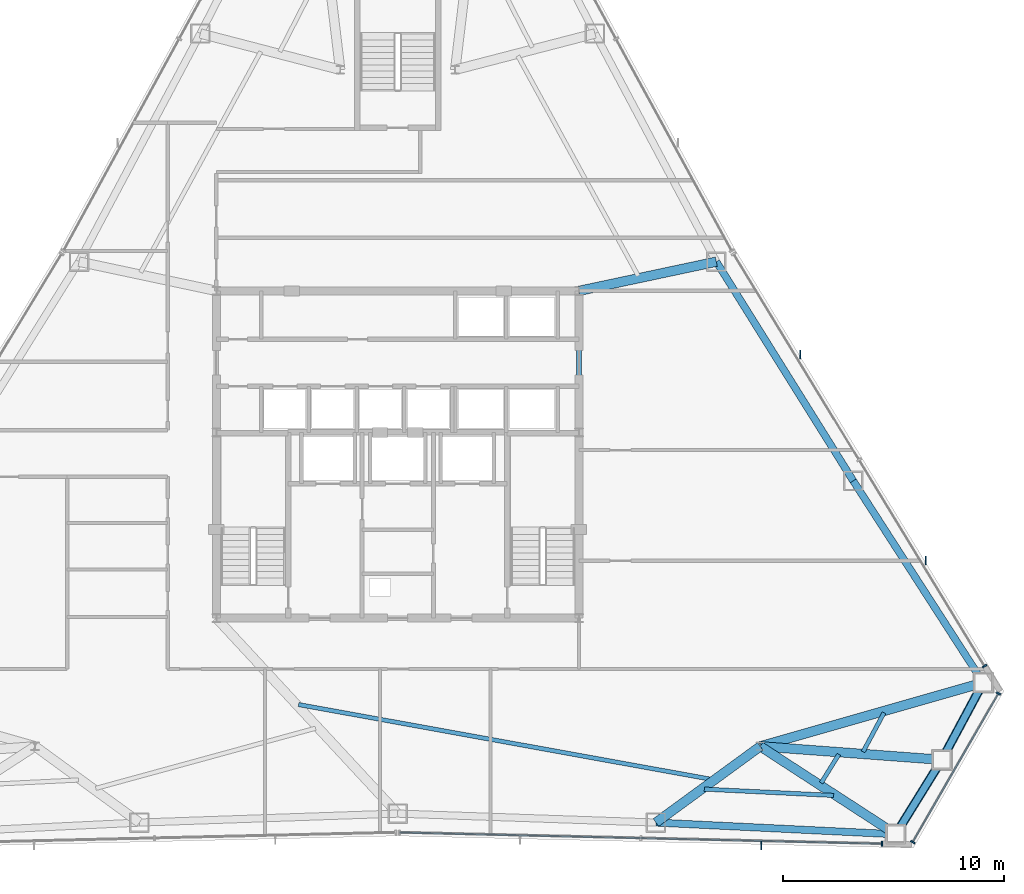
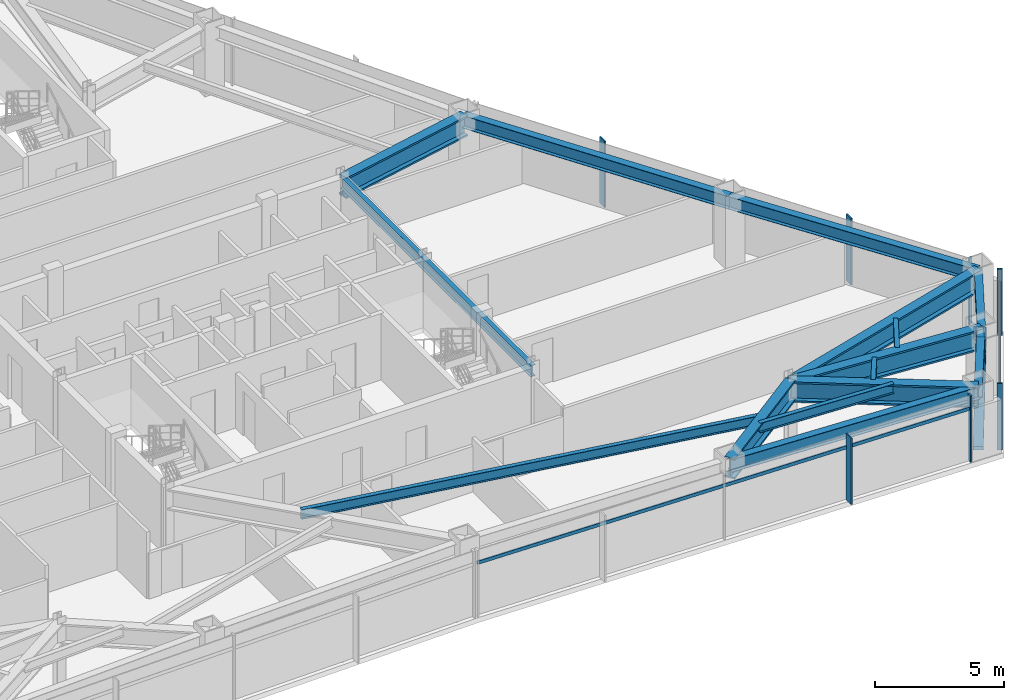
# One storey, part 5 of 12: 15 beams, 11 members, 3 elements without a shape of their own.
"""IFC4 building model written with IfcOpenShell, lengths in metres."""

from ifc_helpers import new_model, si_unit, direction, frame, origin, origin_2d, place, context, subcontext, project, spatial, rectangle, hollow_rectangle, i_section, extrude, source, transform, mapped, material, layer, layer_set, material_profile, profile_set, type_object, type_shapes, element, aggregate, save


model = new_model("IFC4")

# Units and contexts
model_context = context("Model", 3, precision=1e-05, world=origin(), true_north=direction((0.0, 1.0)))
body_context = subcontext(model_context, "Body", "Model", "MODEL_VIEW")
ifc_project = project(units=[si_unit("LENGTHUNIT", "METRE"), si_unit("AREAUNIT", "SQUARE_METRE"), si_unit("VOLUMEUNIT", "CUBIC_METRE"), si_unit("PLANEANGLEUNIT", "RADIAN"), si_unit("MASSUNIT", "GRAM", prefix="KILO")], contexts=[model_context])

# Site, building, storey
site_placement = place(None, origin())
site = spatial("IfcSite", under=ifc_project, at=site_placement, CompositionType="ELEMENT")
building_placement = place(site_placement, origin())
building = spatial("IfcBuilding", under=site, at=building_placement, Name="Varakhsha Concourse Tower", CompositionType="ELEMENT")
storey_placement = place(building_placement, frame((0.0, 0.0, 153.949951171875)))
storey = spatial("IfcBuildingStorey", under=building, at=storey_placement, Name="L44", CompositionType="ELEMENT", Elevation=153.949951171875)

# Beams
ifc_material_1 = material(Name="Structural Steel ASTM A992 Grade 50", Category="steel")
ifc_material_profile_1 = material_profile(ifc_material_1, i_section(OverallWidth=0.19091796875, OverallDepth=0.45703125, WebThickness=0.009033203125, FlangeThickness=0.013916015625, at=origin_2d()), Name="W18X50")
ifc_profile_set_1 = profile_set([ifc_material_profile_1], Name="Structural Steel ASTM A992 Grade 50")
beam_type_1 = type_object("IfcBeamType", Name="BM-JST-W18X50", PredefinedType="JOIST", material=ifc_profile_set_1)
beam_1_placement = place(storey_placement, frame((35.51611328125, 12.489990234375, 2.921630859375), z_axis=(0.983987681098, -0.178236481807, 0.0), x_axis=(0.178236481807, 0.983987681098, 0.0)))
element("IfcBeam", 1, at=beam_1_placement, inside=storey, type_object=beam_type_1, Name="BM-TJST-L44-11", PredefinedType="JOIST", context=body_context, shape_type="SweptSolid", body=[
    extrude(i_section(OverallWidth=0.19091796875, OverallDepth=0.45703125, WebThickness=0.009033203125, FlangeThickness=0.013916015625, at=origin_2d()), origin(), (0.0, 0.0, 1.0), 19.00390625),
])
beam_2_placement = place(storey_placement, frame((53.867919921875, 8.664306640625, 2.921630859375), z_axis=(0.99880497097, -0.04887361217, 0.0), x_axis=(0.04887361217, 0.99880497097, 0.0)))
element("IfcBeam", 2, at=beam_2_placement, inside=storey, type_object=beam_type_1, Name="BM-TJST-L44-12", PredefinedType="JOIST", context=body_context, shape_type="SweptSolid", body=[
    extrude(i_section(OverallWidth=0.19091796875, OverallDepth=0.45703125, WebThickness=0.009033203125, FlangeThickness=0.013916015625, at=origin_2d()), origin(), (0.0, 0.0, 1.0), 5.859619140625),
])
beam_3_placement = place(storey_placement, frame((59.153076171875, 8.943603515625, 2.921630859375), z_axis=(0.526608454352, 0.850107955382, 0.0), x_axis=(-0.850107955382, 0.526608454352, 0.0)))
element("IfcBeam", 3, at=beam_3_placement, inside=storey, type_object=beam_type_1, Name="BM-TJST-L44-13", PredefinedType="JOIST", context=body_context, shape_type="SweptSolid", body=[
    extrude(i_section(OverallWidth=0.19091796875, OverallDepth=0.45703125, WebThickness=0.009033203125, FlangeThickness=0.013916015625, at=origin_2d()), origin(), (0.0, 0.0, 1.0), 1.52294921875),
])
beam_4_placement = place(storey_placement, frame((61.05029296875, 10.355712890625, 2.921630859375), z_axis=(0.473021281031, 0.881051001754, 0.0), x_axis=(-0.881051001754, 0.473021281031, 0.0)))
element("IfcBeam", 4, at=beam_4_placement, inside=storey, type_object=beam_type_1, Name="BM-TJST-L44-14", PredefinedType="JOIST", context=body_context, shape_type="SweptSolid", body=[
    extrude(i_section(OverallWidth=0.19091796875, OverallDepth=0.45703125, WebThickness=0.009033203125, FlangeThickness=0.013916015625, at=origin_2d()), origin(), (0.0, 0.0, 1.0), 1.99853515625),
])
ifc_material_profile_2 = material_profile(ifc_material_1, i_section(OverallWidth=0.2109375, OverallDepth=0.5390625, WebThickness=0.011962890625, FlangeThickness=0.01904296875, at=origin_2d()), Name="W21X73")
ifc_profile_set_2 = profile_set([ifc_material_profile_2], Name="Structural Steel ASTM A992 Grade 50")
beam_type_2 = type_object("IfcBeamType", Name="BM-RAD-W21X73", PredefinedType="BEAM", material=ifc_profile_set_2)
beam_5_placement = place(storey_placement, frame((48.199951171875, 16.39990234375, 2.880615234375), z_axis=(0.0, 1.0, 0.0), x_axis=(-1.0, 0.0, 0.0)))
element("IfcBeam", 5, at=beam_5_placement, inside=storey, type_object=beam_type_2, Name="BM-TCORE-L44-CE", PredefinedType="BEAM", context=body_context, shape_type="SweptSolid", body=[
    extrude(i_section(OverallWidth=0.2109375, OverallDepth=0.5390625, WebThickness=0.011962890625, FlangeThickness=0.01904296875, at=origin_2d()), origin(), (0.0, 0.0, 1.0), 14.800048828125),
])
ifc_material_profile_3 = material_profile(ifc_material_1, i_section(OverallWidth=0.323974609375, OverallDepth=0.611083984375, WebThickness=0.012939453125, FlangeThickness=0.01904296875, at=origin_2d()), Name="W24X104")
ifc_profile_set_3 = profile_set([ifc_material_profile_3], Name="Structural Steel ASTM A992 Grade 50")
beam_type_3 = type_object("IfcBeamType", Name="BM-SPAN-W24X104", PredefinedType="SPANDREL", material=ifc_profile_set_3)
beam_6_placement = place(storey_placement, frame((51.68212890625, 7.15283203125, 2.844482421875), z_axis=(0.998806364453, -0.048845125942, 0.0), x_axis=(0.048845125942, 0.998806364453, 0.0)))
element("IfcBeam", 6, at=beam_6_placement, inside=storey, type_object=beam_type_3, Name="BM-SPAN-L44-12", PredefinedType="SPANDREL", context=body_context, shape_type="SweptSolid", body=[
    extrude(i_section(OverallWidth=0.323974609375, OverallDepth=0.611083984375, WebThickness=0.012939453125, FlangeThickness=0.01904296875, at=origin_2d()), origin(), (0.0, 0.0, 1.0), 10.856201171875),
])
for number, where, z_axis, x_axis, name in (
    (7, (62.525390625, 6.62255859375, 2.844482421875), (0.526471295038, 0.850192904875, 0.0), (-0.850192904875, 0.526471295038, 0.0), "BM-SPAN-L44-13"),
    (8, (64.611083984375, 9.99072265625, 2.844482421875), (0.473030089432, 0.881046272617, 0.0), (-0.881046272617, 0.473030089432, 0.0), "BM-SPAN-L44-14"),
):
    element("IfcBeam", number, at=place(storey_placement, frame(where, z_axis=z_axis, x_axis=x_axis)), inside=storey, type_object=beam_type_3, Name=name, PredefinedType="SPANDREL", context=body_context, shape_type="SweptSolid", body=[
        extrude(i_section(OverallWidth=0.323974609375, OverallDepth=0.611083984375, WebThickness=0.012939453125, FlangeThickness=0.01904296875, at=origin_2d()), origin(), (0.0, 0.0, 1.0), 3.961669921875),
    ])
beam_7_placement = place(storey_placement, frame((66.485107421875, 13.481201171875, 2.844482421875), z_axis=(-0.541694977755, 0.840575131131, 0.0), x_axis=(-0.840575131131, -0.541694977755, 0.0)))
element("IfcBeam", 9, at=beam_7_placement, inside=storey, type_object=beam_type_3, Name="BM-SPAN-L44-15", PredefinedType="SPANDREL", context=body_context, shape_type="SweptSolid", body=[
    extrude(i_section(OverallWidth=0.323974609375, OverallDepth=0.611083984375, WebThickness=0.012939453125, FlangeThickness=0.01904296875, at=origin_2d()), origin(), (0.0, 0.0, 1.0), 10.85595703125),
])
beam_8_placement = place(storey_placement, frame((60.6044921875, 22.6064453125, 2.844482421875), z_axis=(-0.529724816421, 0.848169569643, 0.0), x_axis=(-0.848169569643, -0.529724816421, 0.0)))
element("IfcBeam", 10, at=beam_8_placement, inside=storey, type_object=beam_type_3, Name="BM-SPAN-L44-16", PredefinedType="SPANDREL", context=body_context, shape_type="SweptSolid", body=[
    extrude(i_section(OverallWidth=0.323974609375, OverallDepth=0.611083984375, WebThickness=0.012939453125, FlangeThickness=0.01904296875, at=origin_2d()), origin(), (0.0, 0.0, 1.0), 11.689453125),
])
ifc_material_profile_4 = material_profile(ifc_material_1, i_section(OverallWidth=0.427978515625, OverallDepth=0.97509765625, WebThickness=0.050048828125, FlangeThickness=0.0810546875, at=origin_2d()), Name="W36X395")
ifc_profile_set_4 = profile_set([ifc_material_profile_4], Name="Structural Steel ASTM A992 Grade 50")
beam_type_4 = type_object("IfcBeamType", Name="BM-XFER-W36X395", PredefinedType="USERDEFINED", material=ifc_profile_set_4)
beam_9_placement = place(storey_placement, frame((56.39990234375, 10.60009765625, 2.66259765625), z_axis=(-0.807418681371, -0.589978875023, 0.0), x_axis=(0.589978875023, -0.807418681371, 0.0)))
element("IfcBeam", 11, at=beam_9_placement, inside=storey, type_object=beam_type_4, Name="L44 Radial Floor Girder 12", ObjectType="GIRDER", PredefinedType="USERDEFINED", context=body_context, shape_type="SweptSolid", body=[
    extrude(i_section(OverallWidth=0.427978515625, OverallDepth=0.97509765625, WebThickness=0.050048828125, FlangeThickness=0.0810546875, at=origin_2d()), origin(), (0.0, 0.0, 1.0), 5.843017578125),
])
beam_10_placement = place(storey_placement, frame((56.39990234375, 10.60009765625, 2.66259765625), z_axis=(0.838695554596, -0.544600557014, 0.0), x_axis=(0.544600557014, 0.838695554596, 0.0)))
element("IfcBeam", 12, at=beam_10_placement, inside=storey, type_object=beam_type_4, Name="L44 Radial Floor Girder 13", ObjectType="GIRDER", PredefinedType="USERDEFINED", context=body_context, shape_type="SweptSolid", body=[
    extrude(i_section(OverallWidth=0.427978515625, OverallDepth=0.97509765625, WebThickness=0.050048828125, FlangeThickness=0.0810546875, at=origin_2d()), origin(), (0.0, 0.0, 1.0), 7.3037109375),
])
beam_11_placement = place(storey_placement, frame((56.39990234375, 10.60009765625, 2.66259765625), z_axis=(0.99725755111, -0.074009301804, 0.0), x_axis=(0.074009301804, 0.99725755111, 0.0)))
element("IfcBeam", 13, at=beam_11_placement, inside=storey, type_object=beam_type_4, Name="L44 Radial Floor Girder 14", ObjectType="GIRDER", PredefinedType="USERDEFINED", context=body_context, shape_type="SweptSolid", body=[
    extrude(i_section(OverallWidth=0.427978515625, OverallDepth=0.97509765625, WebThickness=0.050048828125, FlangeThickness=0.0810546875, at=origin_2d()), origin(), (0.0, 0.0, 1.0), 8.233642578125),
])
beam_12_placement = place(storey_placement, frame((56.39990234375, 10.60009765625, 2.66259765625), z_axis=(0.961533609036, 0.274687310761, 0.0), x_axis=(-0.274687310761, 0.961533609036, 0.0)))
element("IfcBeam", 14, at=beam_12_placement, inside=storey, type_object=beam_type_4, Name="L44 Radial Floor Girder 15", ObjectType="GIRDER", PredefinedType="USERDEFINED", context=body_context, shape_type="SweptSolid", body=[
    extrude(i_section(OverallWidth=0.427978515625, OverallDepth=0.97509765625, WebThickness=0.050048828125, FlangeThickness=0.0810546875, at=origin_2d()), origin(), (0.0, 0.0, 1.0), 10.48876953125),
])
beam_13_placement = place(storey_placement, frame((48.199951171875, 31.199951171875, 2.66259765625), z_axis=(0.978129728728, 0.20799575423, 0.0), x_axis=(-0.20799575423, 0.978129728728, 0.0)))
element("IfcBeam", 15, at=beam_13_placement, inside=storey, type_object=beam_type_4, Name="L44 Radial Floor Girder 17", ObjectType="GIRDER", PredefinedType="USERDEFINED", context=body_context, shape_type="SweptSolid", body=[
    extrude(i_section(OverallWidth=0.427978515625, OverallDepth=0.97509765625, WebThickness=0.050048828125, FlangeThickness=0.0810546875, at=origin_2d()), origin(), (0.0, 0.0, 1.0), 6.351318359375),
])

# Members
ifc_material_2 = material(Name="Structural Steel ASTM A500 Grade C", Category="steel")
ifc_material_profile_5 = material_profile(ifc_material_2, hollow_rectangle(XDim=0.39990234375, YDim=0.39990234375, WallThickness=0.01611328125, at=origin_2d()), Name="HSS 400x400x16")
ifc_profile_set_5 = profile_set([ifc_material_profile_5], Name="Structural Steel ASTM A500 Grade C")
member_type_1 = type_object("IfcMemberType", Name="MB-TUBE-HSS400", PredefinedType="BRACE", material=ifc_profile_set_5)
shared_shape_1 = source(origin(), body_context, "Body", "SweptSolid", [
    extrude(hollow_rectangle(XDim=0.39990234375, YDim=0.39990234375, WallThickness=0.01611328125, at=origin_2d()), origin(), (0.0, 0.0, 1.0), 4.811279296875),
])
type_shapes(member_type_1, [shared_shape_1])
for number, where, z_axis, x_axis, name in (
    (16, (62.525390625, 6.62255859375, 0.1201171875), (0.433509861656, 0.700070473067, 0.567424473024), (-0.850192904875, 0.526471295038, 0.0), "L44 Wind-Corner Tube Brace B05"),
    (17, (66.485107421875, 13.481201171875, 0.1201171875), (-0.389508042018, -0.725481562889, 0.567415180543), (0.881046272617, -0.473030089432, 0.0), "L44 Wind-Corner Tube Brace B06"),
):
    element("IfcMember", number, at=place(storey_placement, frame(where, z_axis=z_axis, x_axis=x_axis)), inside=storey, type_object=member_type_1, Name=name, PredefinedType="BRACE", context=body_context, shape_type="MappedRepresentation", body=[
        mapped(shared_shape_1, transform((0.0, 0.0, 0.0), scale=1.0)),
    ])

# Curtain wall, members
ifc_material_3 = material(Name="Anodised Bronze Architectural Aluminium AA 6063-T6", Category="aluminium")
ifc_layer = layer(ifc_material_3, 0.2099609375, Name="CW-SYS-04")
ifc_layer_set = layer_set([ifc_layer], Name="Anodised Bronze Architectural Aluminium AA 6063-T6")
curtain_wall_type = type_object("IfcCurtainWallType", Name="CW-SYS-04", PredefinedType="NOTDEFINED", material=ifc_layer_set)
curtain_wall_1_placement = place(storey_placement, origin())
curtain_wall_1 = element("IfcCurtainWall", 18, at=curtain_wall_1_placement, inside=storey, type_object=curtain_wall_type, Name="L44 Crystal Curtain Wall F6", PredefinedType="NOTDEFINED")
ifc_material_profile_6 = material_profile(ifc_material_3, rectangle(XDim=0.06494140625, YDim=0.159912109375, at=origin_2d()), Name="CWT-160X65")
ifc_profile_set_6 = profile_set([ifc_material_profile_6], Name="Anodised Bronze Architectural Aluminium AA 6063-T6")
member_type_2 = type_object("IfcMemberType", Name="CWT-160X65", PredefinedType="USERDEFINED", material=ifc_profile_set_6)
shared_shape_2 = source(origin(), body_context, "Body", "SweptSolid", [
    extrude(rectangle(XDim=0.06494140625, YDim=0.159912109375, at=origin_2d()), origin(), (0.0, 0.0, 1.0), 21.82958984375),
])
member_1_placement = place(storey_placement, frame((61.907470703125, 6.193115234375, 2.5), z_axis=(-0.999725999054, 0.023407836626, 0.0), x_axis=(-0.023407836626, -0.999725999054, 0.0)))
member_1 = element("IfcMember", 19, at=member_1_placement, type_object=member_type_2, Name="CW-L44-F6 Transom 01", ObjectType="TRANSOM", PredefinedType="USERDEFINED", context=body_context, shape_type="MappedRepresentation", body=[
    mapped(shared_shape_2, transform((0.0, 0.0, 0.0), scale=1.0)),
])
ifc_material_profile_7 = material_profile(ifc_material_3, rectangle(XDim=0.074951171875, YDim=0.219970703125, at=origin_2d()), Name="CWM-220X75")
ifc_profile_set_7 = profile_set([ifc_material_profile_7], Name="Anodised Bronze Architectural Aluminium AA 6063-T6")
member_type_3 = type_object("IfcMemberType", Name="CWM-220X75", PredefinedType="MULLION", material=ifc_profile_set_7)
shared_shape_3 = source(origin(), body_context, "Body", "SweptSolid", [
    extrude(rectangle(XDim=0.074951171875, YDim=0.219970703125, at=origin_2d()), origin(), (0.0, 0.0, 1.0), 3.150146484375),
])
type_shapes(member_type_3, [shared_shape_3])
member_2_placement = place(storey_placement, frame((61.907470703125, 6.193115234375, 0.0), z_axis=(0.0, 0.0, 1.0), x_axis=(-0.999726077797, 0.023404473363, 0.0)))
member_2 = element("IfcMember", 20, at=member_2_placement, type_object=member_type_3, Name="CW-L44-F6 Mullion 00", PredefinedType="MULLION", context=body_context, shape_type="MappedRepresentation", body=[
    mapped(shared_shape_3, transform((0.0, 0.0, 0.0), scale=1.0)),
])

curtain_wall_2_placement = place(storey_placement, origin())
curtain_wall_2 = element("IfcCurtainWall", 21, at=curtain_wall_2_placement, inside=storey, type_object=curtain_wall_type, Name="L44 Chamfer Curtain Wall F7", PredefinedType="NOTDEFINED")
member_3_placement = place(storey_placement, frame((67.1748046875, 12.990966796875, 0.0), z_axis=(0.0, 0.0, 1.0), x_axis=(-0.499996976998, -0.866027149108, 0.0)))
member_3 = element("IfcMember", 22, at=member_3_placement, type_object=member_type_3, Name="CW-L44-F7 Mullion 00", PredefinedType="MULLION", context=body_context, shape_type="MappedRepresentation", body=[
    mapped(shared_shape_3, transform((0.0, 0.0, 0.0), scale=1.0)),
])
member_4_placement = place(storey_placement, frame((63.294677734375, 6.2705078125, 0.0), z_axis=(0.0, 0.0, 1.0), x_axis=(-0.499996976998, -0.866027149108, 0.0)))
member_4 = element("IfcMember", 23, at=member_4_placement, type_object=member_type_3, Name="CW-L44-F7 Mullion 01", PredefinedType="MULLION", context=body_context, shape_type="MappedRepresentation", body=[
    mapped(shared_shape_3, transform((0.0, 0.0, 0.0), scale=1.0)),
])

# Curtain wall, member
curtain_wall_3_placement = place(storey_placement, origin())
curtain_wall_3 = element("IfcCurtainWall", 24, at=curtain_wall_3_placement, inside=storey, type_object=curtain_wall_type, Name="L44 Crystal Curtain Wall F8", PredefinedType="NOTDEFINED")
member_5_placement = place(storey_placement, frame((66.548095703125, 14.23095703125, 0.0), z_axis=(0.0, 0.0, 1.0), x_axis=(0.520125944735, -0.854089574701, 0.0)))
member_5 = element("IfcMember", 25, at=member_5_placement, type_object=member_type_3, Name="CW-L44-F8 Mullion 02", PredefinedType="MULLION", context=body_context, shape_type="MappedRepresentation", body=[
    mapped(shared_shape_3, transform((0.0, 0.0, 0.0), scale=1.0)),
])

# Member
ifc_material_profile_8 = material_profile(ifc_material_3, rectangle(XDim=0.06005859375, YDim=0.3798828125, at=origin_2d()), Name="FIN-BRZ-380")
ifc_profile_set_8 = profile_set([ifc_material_profile_8], Name="Anodised Bronze Architectural Aluminium AA 6063-T6")
member_type_4 = type_object("IfcMemberType", Name="FIN-BRZ-380", PredefinedType="USERDEFINED", material=ifc_profile_set_8)
shared_shape_4 = source(origin(), body_context, "Body", "SweptSolid", [
    extrude(rectangle(XDim=0.06005859375, YDim=0.3798828125, at=origin_2d()), origin(), (0.0, 0.0, 1.0), 3.150146484375),
])
type_shapes(member_type_4, [shared_shape_4])
member_6_placement = place(storey_placement, frame((56.44677734375, 6.115966796875, 0.0), z_axis=(0.0, 0.0, 1.0), x_axis=(1.0, 0.0, 0.0)))
member_6 = element("IfcMember", 26, at=member_6_placement, type_object=member_type_4, Name="L44 Anodised Bronze Solar Fin F6-1", ObjectType="SOLAR FIN", PredefinedType="USERDEFINED", context=body_context, shape_type="MappedRepresentation", body=[
    mapped(shared_shape_4, transform((0.0, 0.0, 0.0), scale=1.0)),
])

aggregate(curtain_wall_1, [member_2, member_1, member_6])

member_7_placement = place(storey_placement, frame((58.20751953125, 28.321044921875, 0.0), z_axis=(0.0, 0.0, 1.0), x_axis=(1.0, 0.0, 0.0)))
member_7 = element("IfcMember", 27, at=member_7_placement, type_object=member_type_4, Name="L44 Anodised Bronze Solar Fin F8-1", ObjectType="SOLAR FIN", PredefinedType="USERDEFINED", context=body_context, shape_type="MappedRepresentation", body=[
    mapped(shared_shape_4, transform((0.0, 0.0, 0.0), scale=1.0)),
])

member_8_placement = place(storey_placement, frame((63.884521484375, 18.998779296875, 0.0), z_axis=(0.0, 0.0, 1.0), x_axis=(1.0, 0.0, 0.0)))
member_8 = element("IfcMember", 28, at=member_8_placement, type_object=member_type_4, Name="L44 Anodised Bronze Solar Fin F8-2", ObjectType="SOLAR FIN", PredefinedType="USERDEFINED", context=body_context, shape_type="MappedRepresentation", body=[
    mapped(shared_shape_4, transform((0.0, 0.0, 0.0), scale=1.0)),
])

aggregate(curtain_wall_3, [member_5, member_7, member_8])

shared_shape_5 = source(origin(), body_context, "Body", "SweptSolid", [
    extrude(rectangle(XDim=0.06494140625, YDim=0.159912109375, at=origin_2d()), origin(), (0.0, 0.0, 1.0), 7.76025390625),
])
type_shapes(member_type_2, [shared_shape_2, shared_shape_5])
member_9_placement = place(storey_placement, frame((67.1748046875, 12.990966796875, 2.5), z_axis=(-0.500006586463, -0.866021601055, 0.0), x_axis=(0.866021601055, -0.500006586463, 0.0)))
member_9 = element("IfcMember", 29, at=member_9_placement, type_object=member_type_2, Name="CW-L44-F7 Transom 01", ObjectType="TRANSOM", PredefinedType="USERDEFINED", context=body_context, shape_type="MappedRepresentation", body=[
    mapped(shared_shape_5, transform((0.0, 0.0, 0.0), scale=1.0)),
])

aggregate(curtain_wall_2, [member_3, member_4, member_9])

save(model, "model.ifc")
